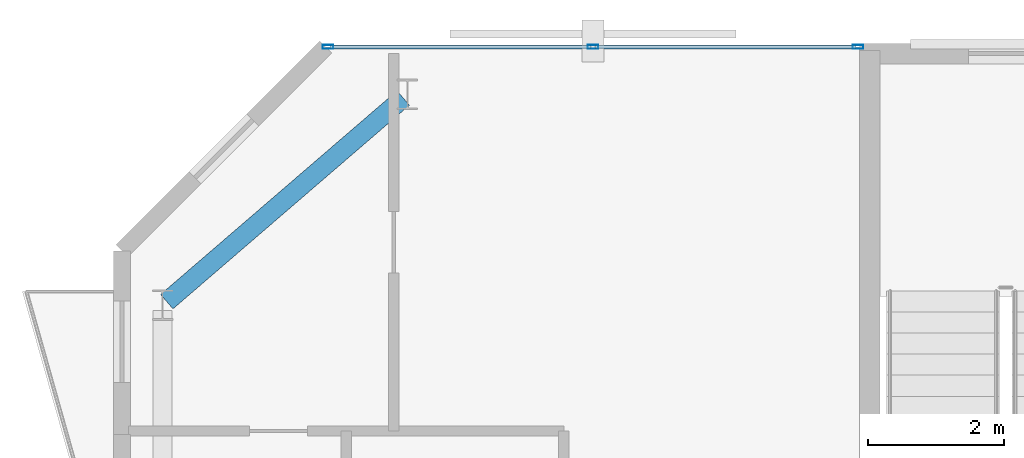
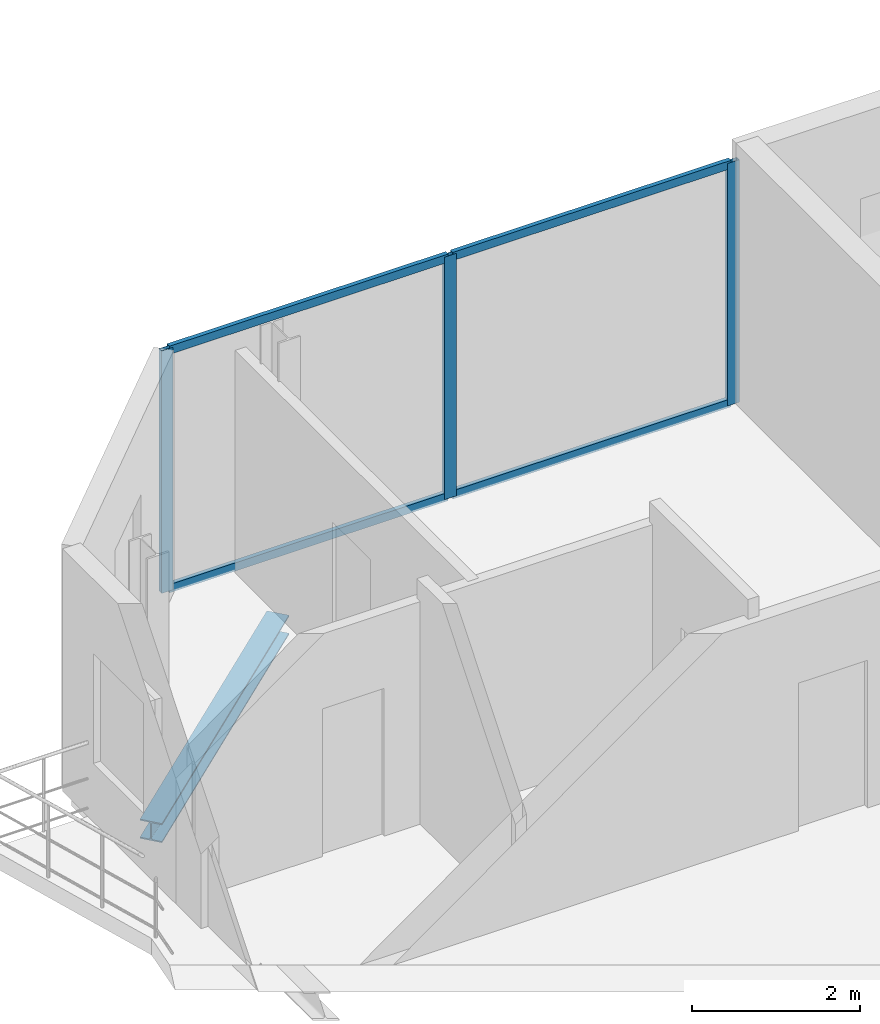
# One storey, part 16 of 22: 7 members, 1 beam, 1 element without a shape of its own.
"""IFC4 building model written with IfcOpenShell, lengths in metres."""

from ifc_helpers import new_model, si_unit, direction, frame, origin, origin_2d, place, context, subcontext, project, spatial, hollow_rectangle, i_section, extrude, material, layer, layer_set, material_profile, profile_set, type_object, element, aggregate, save


model = new_model("IFC4")

# Units and contexts
model_context = context("Model", 3, precision=1e-05, world=origin(), true_north=direction((0.0, 1.0)))
body_context = subcontext(model_context, "Body", "Model", "MODEL_VIEW")
ifc_project = project(units=[si_unit("LENGTHUNIT", "METRE"), si_unit("AREAUNIT", "SQUARE_METRE"), si_unit("VOLUMEUNIT", "CUBIC_METRE"), si_unit("PLANEANGLEUNIT", "RADIAN"), si_unit("MASSUNIT", "GRAM", prefix="KILO")], contexts=[model_context])

# Site, building, storey
site_placement = place(None, origin())
site = spatial("IfcSite", under=ifc_project, at=site_placement, CompositionType="ELEMENT")
building_placement = place(site_placement, origin())
building = spatial("IfcBuilding", under=site, at=building_placement, Name="Catumbela Crestline Tower", CompositionType="ELEMENT")
storey_placement = place(building_placement, frame((0.0, 0.0, 229.8)))
storey = spatial("IfcBuildingStorey", under=building, at=storey_placement, Name="L59", CompositionType="ELEMENT", Elevation=229.8)

# Curtain wall, members
ifc_material_1 = material(Name="Aluminium alloy AW-6060-T66", Category="aluminium")
ifc_layer = layer(ifc_material_1, 0.18, Name="Aluminium alloy AW-6060-T66")
ifc_layer_set = layer_set([ifc_layer], Name="Aluminium alloy AW-6060-T66")
curtain_wall_type = type_object("IfcCurtainWallType", Name="CWU-Z4", PredefinedType="USERDEFINED", material=ifc_layer_set)
curtain_wall_placement = place(storey_placement, origin())
curtain_wall = element("IfcCurtainWall", 1, at=curtain_wall_placement, inside=storey, type_object=curtain_wall_type, Name="L59 Unitised Curtain Wall CW-L59-E7S2", ObjectType="UNITISED", PredefinedType="USERDEFINED")
ifc_material_profile_1 = material_profile(ifc_material_1, hollow_rectangle(XDim=0.06, YDim=0.16, WallThickness=0.004, at=origin_2d()), Name="ALU 160x60x4")
ifc_profile_set_1 = profile_set([ifc_material_profile_1], Name="Aluminium alloy AW-6060-T66")
member_type_1 = type_object("IfcMemberType", Name="MUL-160X60", PredefinedType="MULLION", material=ifc_profile_set_1)
member_1_placement = place(storey_placement, frame((15.8275, 43.0, 0.0), z_axis=(0.0, 0.0, 1.0), x_axis=(0.0, -1.0, 0.0)))
member_1 = element("IfcMember", 2, at=member_1_placement, type_object=member_type_1, Name="CWU-Z4 mullion 1", PredefinedType="MULLION", context=body_context, shape_type="SweptSolid", body=[
    extrude(hollow_rectangle(XDim=0.06, YDim=0.16, WallThickness=0.004, at=origin_2d()), origin(), (0.0, 0.0, 1.0), 3.53),
])
member_2_placement = place(storey_placement, frame((11.93, 43.0, 0.0), z_axis=(0.0, 0.0, 1.0), x_axis=(0.0, -1.0, 0.0)))
member_2 = element("IfcMember", 3, at=member_2_placement, type_object=member_type_1, Name="CWU-Z4 mullion 2", PredefinedType="MULLION", context=body_context, shape_type="SweptSolid", body=[
    extrude(hollow_rectangle(XDim=0.06, YDim=0.16, WallThickness=0.004, at=origin_2d()), origin(), (0.0, 0.0, 1.0), 3.53),
])
member_3_placement = place(storey_placement, frame((8.0325, 43.0, 0.0), z_axis=(0.0, 0.0, 1.0), x_axis=(0.0, -1.0, 0.0)))
member_3 = element("IfcMember", 4, at=member_3_placement, type_object=member_type_1, Name="CWU-Z4 mullion 3", PredefinedType="MULLION", context=body_context, shape_type="SweptSolid", body=[
    extrude(hollow_rectangle(XDim=0.06, YDim=0.16, WallThickness=0.004, at=origin_2d()), origin(), (0.0, 0.0, 1.0), 3.53),
])

# Beam
ifc_material_2 = material(Name="Structural steel S355J2", Category="steel")
ifc_material_profile_2 = material_profile(ifc_material_2, i_section(OverallWidth=0.28, OverallDepth=0.28, WebThickness=0.0105, FlangeThickness=0.018, FilletRadius=0.024, at=origin_2d()), Name="HEB 280")
ifc_profile_set_2 = profile_set([ifc_material_profile_2], Name="Structural steel S355J2")
beam_type = type_object("IfcBeamType", Name="BS-HEB280", PredefinedType="SPANDREL", material=ifc_profile_set_2)
beam_placement = place(storey_placement, frame((5.6606, 39.2522, -0.4), z_axis=(0.757772392559, 0.652518966066, 0.0), x_axis=(-0.652518966066, 0.757772392559, 0.0)))
element("IfcBeam", 5, at=beam_placement, inside=storey, type_object=beam_type, Name="L59 Spandrel SP-L59-N09", PredefinedType="SPANDREL", context=body_context, shape_type="SweptSolid", body=[
    extrude(i_section(OverallWidth=0.28, OverallDepth=0.28, WebThickness=0.0105, FlangeThickness=0.018, FilletRadius=0.024, at=origin_2d()), origin(), (0.0, 0.0, 1.0), 4.5908),
])

# Member
ifc_material_profile_3 = material_profile(ifc_material_1, hollow_rectangle(XDim=0.06, YDim=0.12, WallThickness=0.0035, at=origin_2d()), Name="ALU 120x60x3.5")
ifc_profile_set_3 = profile_set([ifc_material_profile_3], Name="Aluminium alloy AW-6060-T66")
member_type_2 = type_object("IfcMemberType", Name="TRN-120X60", PredefinedType="USERDEFINED", material=ifc_profile_set_3)
member_4_placement = place(storey_placement, frame((15.795, 43.0, 0.03), z_axis=(-1.0, 0.0, 0.0), x_axis=(0.0, -1.0, 0.0)))
member_4 = element("IfcMember", 6, at=member_4_placement, type_object=member_type_2, Name="CWU-Z4 transom 1.1", ObjectType="TRANSOM", PredefinedType="USERDEFINED", context=body_context, shape_type="SweptSolid", body=[
    extrude(hollow_rectangle(XDim=0.06, YDim=0.12, WallThickness=0.0035, at=origin_2d()), origin(), (0.0, 0.0, 1.0), 3.8325),
])

member_5_placement = place(storey_placement, frame((15.795, 43.0, 3.5), z_axis=(-1.0, 0.0, 0.0), x_axis=(0.0, -1.0, 0.0)))
member_5 = element("IfcMember", 7, at=member_5_placement, type_object=member_type_2, Name="CWU-Z4 transom 1.2", ObjectType="TRANSOM", PredefinedType="USERDEFINED", context=body_context, shape_type="SweptSolid", body=[
    extrude(hollow_rectangle(XDim=0.06, YDim=0.12, WallThickness=0.0035, at=origin_2d()), origin(), (0.0, 0.0, 1.0), 3.8325),
])

member_6_placement = place(storey_placement, frame((11.8975, 43.0, 0.03), z_axis=(-1.0, 0.0, 0.0), x_axis=(0.0, -1.0, 0.0)))
member_6 = element("IfcMember", 8, at=member_6_placement, type_object=member_type_2, Name="CWU-Z4 transom 2.1", ObjectType="TRANSOM", PredefinedType="USERDEFINED", context=body_context, shape_type="SweptSolid", body=[
    extrude(hollow_rectangle(XDim=0.06, YDim=0.12, WallThickness=0.0035, at=origin_2d()), origin(), (0.0, 0.0, 1.0), 3.8325),
])

member_7_placement = place(storey_placement, frame((11.8975, 43.0, 3.5), z_axis=(-1.0, 0.0, 0.0), x_axis=(0.0, -1.0, 0.0)))
member_7 = element("IfcMember", 9, at=member_7_placement, type_object=member_type_2, Name="CWU-Z4 transom 2.2", ObjectType="TRANSOM", PredefinedType="USERDEFINED", context=body_context, shape_type="SweptSolid", body=[
    extrude(hollow_rectangle(XDim=0.06, YDim=0.12, WallThickness=0.0035, at=origin_2d()), origin(), (0.0, 0.0, 1.0), 3.8325),
])

aggregate(curtain_wall, [member_1, member_2, member_3, member_4, member_5, member_6, member_7])

save(model, "model.ifc")
